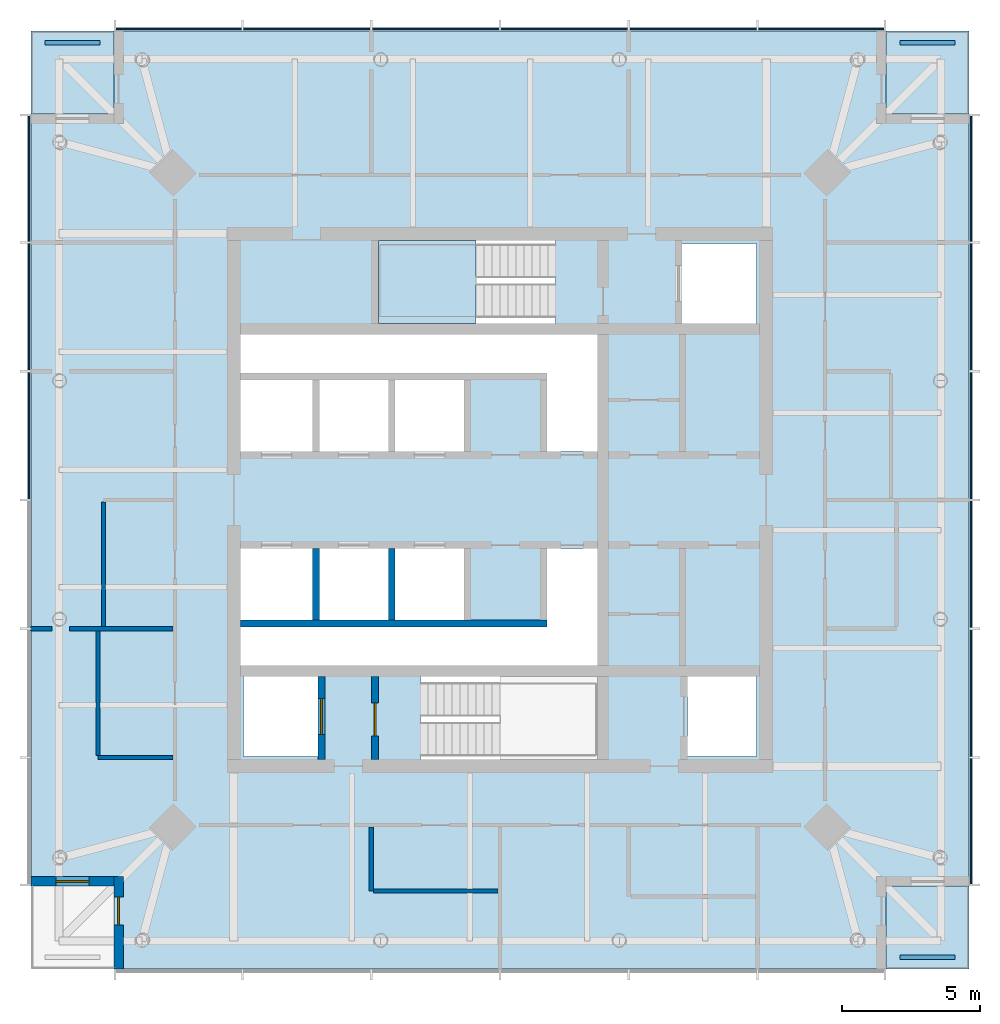
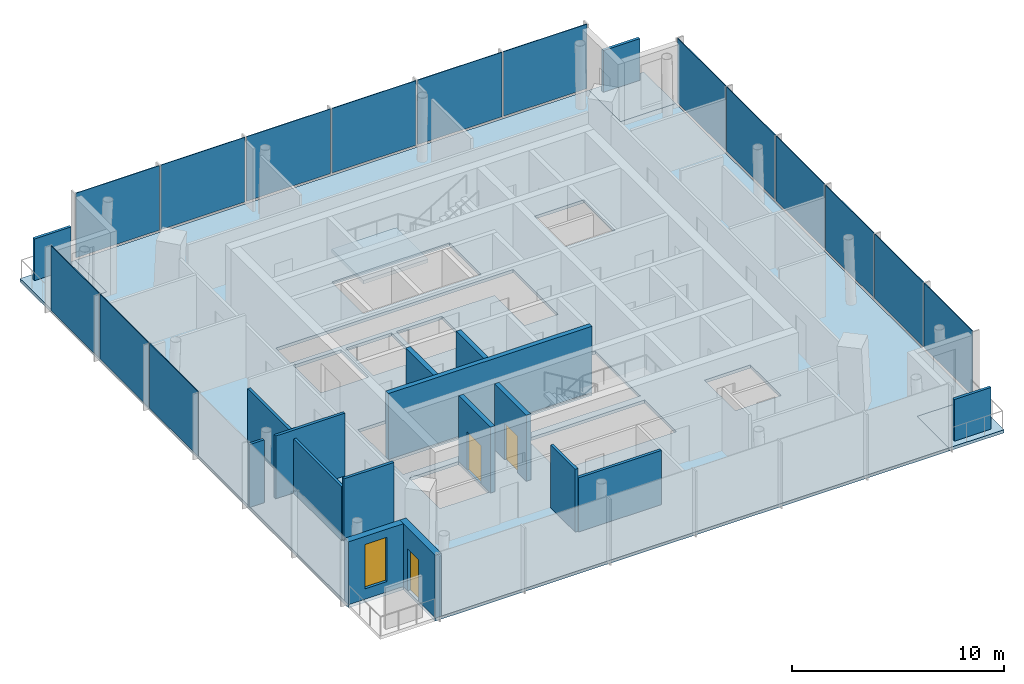
# One storey, part 3 of 7: 18 plates, 14 walls, 5 slabs, 3 doors, 1 window, 4 openings, 4 elements without a shape of their own.
"""IFC4 building model written with IfcOpenShell, lengths in metres."""

import ifcopenshell
import ifcopenshell.guid

model = None  # the IFC model being written
_history = None  # IfcOwnerHistory: only IFC2X3 demands one
_inside = {}  # id of a spatial element -> (the spatial element, [elements in it])
_under = {}  # id of a project, library or spatial element -> (it, [spatial elements below it])
_declared = {}  # id of a project -> (the project, [libraries it declares])
_typed = {}  # id of a type object -> (the type object, [elements of that type])
_made_of = {}  # id of a material, layer set ... -> (it, [elements and type objects made of it])


def new_model(schema):
    """Start an empty IFC model of exactly this schema.

    Asked for "IFC4X3", IfcOpenShell would pick the latest addendum, in which some entities
    have other attributes; the version numbers below select the first issue.
    IFC2X3 requires an IfcOwnerHistory on every rooted entity: one is made here for all.
    """
    global model, _history
    if schema == "IFC4X3":
        model = ifcopenshell.file(schema_version=(4, 3, 0, 0))
    else:
        model = ifcopenshell.file(schema=schema)
    _inside.clear()
    _under.clear()
    _declared.clear()
    _typed.clear()
    _made_of.clear()
    _history = None
    if model.schema == "IFC2X3":
        org = make("IfcOrganization", Name="unknown")
        user = make(
            "IfcPersonAndOrganization",
            ThePerson=make("IfcPerson", FamilyName="unknown"),
            TheOrganization=org,
        )
        app = make(
            "IfcApplication",
            ApplicationDeveloper=org,
            Version="unknown",
            ApplicationFullName="unknown",
            ApplicationIdentifier="unknown",
        )
        _history = make(
            "IfcOwnerHistory",
            OwningUser=user,
            OwningApplication=app,
            ChangeAction="ADDED",
            CreationDate=0,
        )
    return model


def make(cls, **values):
    """One entity of the class cls with the attributes given. An attribute that is None is left unset."""
    return model.create_entity(
        cls, **{name: value for name, value in values.items() if value is not None}
    )


def rooted(cls, **values):
    """An entity with a GlobalId (a new one), such as an element, a storey or a relation."""
    return make(cls, GlobalId=ifcopenshell.guid.new(), OwnerHistory=_history, **values)


def si_unit(unit_type, name, prefix=None):
    """IfcSIUnit, for example si_unit("LENGTHUNIT", "METRE", prefix="MILLI")."""
    return make("IfcSIUnit", UnitType=unit_type, Prefix=prefix, Name=name)


def assignment(units):
    """IfcUnitAssignment: the units of a project."""
    return None if units is None else make("IfcUnitAssignment", Units=units)


def point(xyz):
    """IfcCartesianPoint."""
    return None if xyz is None else make("IfcCartesianPoint", Coordinates=xyz)


def direction(xyz):
    """IfcDirection."""
    return None if xyz is None else make("IfcDirection", DirectionRatios=xyz)


def frame(location, z_axis=None, x_axis=None):
    """IfcAxis2Placement3D, a coordinate frame: its origin and axes. An axis left out is left unset."""
    return make(
        "IfcAxis2Placement3D",
        Location=point(location),
        Axis=direction(z_axis),
        RefDirection=direction(x_axis),
    )


def frame_2d(location, x_axis=None):
    """IfcAxis2Placement2D, a coordinate frame in the plane: its origin and x axis."""
    return make(
        "IfcAxis2Placement2D", Location=point(location), RefDirection=direction(x_axis)
    )


def origin():
    """The frame at (0, 0, 0) with its axes left unset."""
    return frame((0.0, 0.0, 0.0))


def origin_2d():
    """The frame at (0, 0) in the plane with its x axis left unset."""
    return frame_2d((0.0, 0.0))


def place(relative_to, where):
    """IfcLocalPlacement: puts the frame where relative to a parent placement (None: the world)."""
    return make(
        "IfcLocalPlacement", PlacementRelTo=relative_to, RelativePlacement=where
    )


def context(
    kind, dimensions, precision=None, world=None, true_north=None, identifier=None
):
    """IfcGeometricRepresentationContext, for example the 3D "Model" context."""
    return make(
        "IfcGeometricRepresentationContext",
        ContextIdentifier=identifier,
        ContextType=kind,
        CoordinateSpaceDimension=dimensions,
        Precision=precision,
        WorldCoordinateSystem=world,
        TrueNorth=true_north,
    )


def subcontext(parent, identifier, kind, view, scale=None):
    """IfcGeometricRepresentationSubContext, for example "Body" below "Model"."""
    return make(
        "IfcGeometricRepresentationSubContext",
        ContextIdentifier=identifier,
        ContextType=kind,
        ParentContext=parent,
        TargetScale=scale,
        TargetView=view,
    )


def project(units=None, contexts=None):
    """IfcProject with its units and contexts."""
    return rooted(
        "IfcProject",
        Name="project",
        RepresentationContexts=contexts,
        UnitsInContext=assignment(units),
    )


def spatial(cls, under=None, at=None, **own):
    """A site, building, storey or space (cls), placed at a placement, below another one or the project."""
    s = rooted(cls, ObjectPlacement=at, **own)
    if under is not None:
        _under.setdefault(under.id(), (under, []))[1].append(s)
    return s


def polyline(points):
    """IfcPolyline through the points."""
    return make("IfcPolyline", Points=[point(p) for p in points])


def profile(cls, at=None, kind="AREA", **sizes):
    """A parametric profile (cls). Its sizes go by their IFC names, for example OverallWidth=200.0."""
    return make(cls, ProfileType=kind, Position=at, **sizes)


def rectangle(**sizes):
    """IfcRectangleProfileDef."""
    return profile("IfcRectangleProfileDef", **sizes)


def outline(outer, holes=None, kind="AREA"):
    """IfcArbitraryClosedProfileDef: a profile drawn as a closed curve; with holes, ...WithVoids."""
    if holes is None:
        return make("IfcArbitraryClosedProfileDef", ProfileType=kind, OuterCurve=outer)
    return make(
        "IfcArbitraryProfileDefWithVoids",
        ProfileType=kind,
        OuterCurve=outer,
        InnerCurves=holes,
    )


def extrude(swept, where, along, depth):
    """IfcExtrudedAreaSolid: the profile swept, set in the frame where, extruded along a direction by depth."""
    return make(
        "IfcExtrudedAreaSolid",
        SweptArea=swept,
        Position=where,
        ExtrudedDirection=direction(along),
        Depth=depth,
    )


def shape(context_of_items, identifier, shape_type, items):
    """IfcShapeRepresentation: the items that make up one representation, for example the "Body"."""
    return make(
        "IfcShapeRepresentation",
        ContextOfItems=context_of_items,
        RepresentationIdentifier=identifier,
        RepresentationType=shape_type,
        Items=items,
    )


def material(Name=None, Category=None):
    """IfcMaterial."""
    return make("IfcMaterial", Name=Name, Category=Category)


def layer(
    of_material, thickness, ventilated=None, Name=None, Category=None, Priority=None
):
    """IfcMaterialLayer: one layer of a wall or slab, of a material (None: an air gap)."""
    return make(
        "IfcMaterialLayer",
        Material=of_material,
        LayerThickness=thickness,
        IsVentilated=ventilated,
        Name=Name,
        Category=Category,
        Priority=Priority,
    )


def layer_set(layers, Name=None):
    """IfcMaterialLayerSet."""
    return make("IfcMaterialLayerSet", MaterialLayers=layers, LayerSetName=Name)


def made_of(thing, what):
    """Note that an element or type object is made of a material, layer set ...; save() writes the relation."""
    if what is not None:
        _made_of.setdefault(what.id(), (what, []))[1].append(thing)
    return thing


def type_object(cls, material=None, **own):
    """A type object (cls), such as IfcWallType, which elements share."""
    return made_of(rooted(cls, **own), material)


def element(
    cls,
    number,
    at=None,
    inside=None,
    cuts=None,
    type_object=None,
    material=None,
    context=None,
    identifier="Body",
    shape_type=None,
    held_by="IfcProductDefinitionShape",
    body=None,
    shapes=None,
    **own,
):
    """One element of the class cls, such as IfcWall. Its Tag is "e" and its number.

    at: its placement. inside: the storey or other place that contains it. cuts: it is an
    opening in that element (IfcRelVoidsElement). A single representation is given by context,
    identifier, shape_type and body (its items); several are given by shapes. held_by: the class
    of the entity that holds the representations. save() writes the other relations.
    """
    e = rooted(cls, Tag="e%d" % number, ObjectPlacement=at, **own)
    if body is not None:
        shapes = [shape(context, identifier, shape_type, body)]
    if shapes is not None:
        e.Representation = make(held_by, Representations=shapes)
    if inside is not None:
        _inside.setdefault(inside.id(), (inside, []))[1].append(e)
    if cuts is not None:
        rooted(
            "IfcRelVoidsElement", RelatingBuildingElement=cuts, RelatedOpeningElement=e
        )
    if type_object is not None:
        _typed.setdefault(type_object.id(), (type_object, []))[1].append(e)
    return made_of(e, material)


def fill(opening, filler):
    """IfcRelFillsElement: the door or window that sits in an opening."""
    return rooted(
        "IfcRelFillsElement",
        RelatingOpeningElement=opening,
        RelatedBuildingElement=filler,
    )


def aggregate(whole, parts):
    """IfcRelAggregates: a whole, such as a stair, and the parts it consists of."""
    return rooted("IfcRelAggregates", RelatingObject=whole, RelatedObjects=parts)


def save(model, path):
    """Write the relations noted so far, then the file.

    IfcRelAggregates (storeys below a building ...), IfcRelContainedInSpatialStructure (elements
    in a storey), IfcRelDefinesByType, IfcRelAssociatesMaterial and IfcRelDeclares: one each for
    every whole, place, type object, material and project.
    """
    for whole, parts in _under.values():
        aggregate(whole, parts)
    for where, things in _inside.values():
        rooted(
            "IfcRelContainedInSpatialStructure",
            RelatedElements=things,
            RelatingStructure=where,
        )
    for kind, things in _typed.values():
        rooted("IfcRelDefinesByType", RelatedObjects=things, RelatingType=kind)
    for what, things in _made_of.values():
        rooted("IfcRelAssociatesMaterial", RelatedObjects=things, RelatingMaterial=what)
    for by, libraries in _declared.values():
        rooted("IfcRelDeclares", RelatingContext=by, RelatedDefinitions=libraries)
    model.write(path)


model = new_model("IFC4")

# Units and contexts
model_context = context("Model", 3, precision=1e-05, world=origin(), true_north=direction((0.0, 1.0)))
body_context = subcontext(model_context, "Body", "Model", "MODEL_VIEW")
ifc_project = project(units=[si_unit("LENGTHUNIT", "METRE"), si_unit("AREAUNIT", "SQUARE_METRE"), si_unit("VOLUMEUNIT", "CUBIC_METRE"), si_unit("PLANEANGLEUNIT", "RADIAN"), si_unit("MASSUNIT", "GRAM", prefix="KILO")], contexts=[model_context])

# Site, building, storey
site_placement = place(None, origin())
site = spatial("IfcSite", under=ifc_project, at=site_placement, CompositionType="ELEMENT")
building_placement = place(site_placement, origin())
building = spatial("IfcBuilding", under=site, at=building_placement, Name="Ostroluk Exchange", CompositionType="ELEMENT")
storey_placement = place(building_placement, frame((0.0, 0.0, 271.800048828125)))
storey = spatial("IfcBuildingStorey", under=building, at=storey_placement, Name="L70", CompositionType="ELEMENT", Elevation=271.800048828125)

# Slabs
ifc_material_1 = material(Name="Concrete C35/45", Category="concrete")
ifc_layer_1 = layer(ifc_material_1, 0.179931640625)
ifc_layer_set_1 = layer_set([ifc_layer_1], Name="Balcony slab 180")
slab_type_1 = type_object("IfcSlabType", Name="Balcony slab 180", PredefinedType="USERDEFINED", material=ifc_layer_set_1)
slab_1_placement = place(storey_placement, frame((0.0, 0.0, -0.179931640625)))
element("IfcSlab", 1, at=slab_1_placement, inside=storey, type_object=slab_type_1, Name="Office tower SE corner balcony L70", ObjectType="BALCONY", PredefinedType="USERDEFINED", context=body_context, shape_type="SweptSolid", body=[
    extrude(outline(polyline([(59.0, 29.0), (62.0, 29.0), (62.0, 32.0), (59.0, 32.0), (59.0, 29.0)])), origin(), (0.0, 0.0, 1.0), 0.179931640625),
])
slab_2_placement = place(storey_placement, frame((0.0, 0.0, -0.179931640625)))
element("IfcSlab", 2, at=slab_2_placement, inside=storey, type_object=slab_type_1, Name="Office tower NE corner balcony L70", ObjectType="BALCONY", PredefinedType="USERDEFINED", context=body_context, shape_type="SweptSolid", body=[
    extrude(outline(polyline([(59.0, 60.0), (62.0, 60.0), (62.0, 63.0), (59.0, 63.0), (59.0, 60.0)])), origin(), (0.0, 0.0, 1.0), 0.179931640625),
])
slab_3_placement = place(storey_placement, frame((0.0, 0.0, -0.179931640625)))
element("IfcSlab", 3, at=slab_3_placement, inside=storey, type_object=slab_type_1, Name="Office tower NW corner balcony L70", ObjectType="BALCONY", PredefinedType="USERDEFINED", context=body_context, shape_type="SweptSolid", body=[
    extrude(outline(polyline([(28.0, 60.0), (31.0, 60.0), (31.0, 63.0), (28.0, 63.0), (28.0, 60.0)])), origin(), (0.0, 0.0, 1.0), 0.179931640625),
])

# Plates
ifc_material_2 = material(Name="Steel S355 trellis with planting", Category="steel")
ifc_layer_2 = layer(ifc_material_2, 0.14990234375)
ifc_layer_set_2 = layer_set([ifc_layer_2], Name="Planted screen 150")
plate_type_1 = type_object("IfcPlateType", Name="Planted screen 150", PredefinedType="USERDEFINED", material=ifc_layer_set_2)
for number, where, z_axis, x_axis, name in (
    (4, (60.5, 29.425048828125, 0.0), (0.0, 0.0, 1.0), (1.0, 0.0, 0.0), "Office tower SE planted screen L70"),
    (5, (60.5, 62.574951171875, 0.0), (0.0, 0.0, 1.0), (1.0, 0.0, 0.0), "Office tower NE planted screen L70"),
    (6, (29.5, 62.574951171875, 0.0), (0.0, 0.0, 1.0), (1.0, 0.0, 0.0), "Office tower NW planted screen L70"),
):
    element("IfcPlate", number, at=place(storey_placement, frame(where, z_axis=z_axis, x_axis=x_axis)), inside=storey, type_object=plate_type_1, Name=name, ObjectType="PLANTED SCREEN", PredefinedType="USERDEFINED", context=body_context, shape_type="SweptSolid", body=[
        extrude(rectangle(XDim=2.0, YDim=0.14990234375, at=origin_2d()), origin(), (0.0, 0.0, 1.0), 2.39990234375),
    ])

# Stair, slab
ifc_material_3 = material(Name="Concrete C30/37", Category="concrete")
stair_type = type_object("IfcStairType", Name="Exit stair half turn 3800", PredefinedType="HALF_TURN_STAIR", material=ifc_material_3)
stair_placement = place(storey_placement, origin())
stair = element("IfcStair", 7, at=stair_placement, inside=storey, type_object=stair_type, Name="Stair T1-S2 L70", PredefinedType="HALF_TURN_STAIR")
ifc_material_4 = material(Name="Concrete C30/37", Category="concrete")
ifc_layer_3 = layer(ifc_material_4, 0.199951171875)
ifc_layer_set_3 = layer_set([ifc_layer_3], Name="Stair landing 200")
slab_type_2 = type_object("IfcSlabType", Name="Stair landing 200", PredefinedType="LANDING", material=ifc_layer_set_3)
slab_4_placement = place(storey_placement, frame((0.0, 0.0, 1.699951171875)))
slab_4 = element("IfcSlab", 8, at=slab_4_placement, type_object=slab_type_2, Name="T1-S2 landing 1", PredefinedType="LANDING", context=body_context, shape_type="SweptSolid", body=[
    extrude(outline(polyline([(44.1298828125, 52.39990234375), (44.1298828125, 55.39990234375), (40.60009765625, 55.39990234375), (40.60009765625, 52.39990234375), (44.1298828125, 52.39990234375)])), origin(), (0.0, 0.0, 1.0), 0.199951171875),
])
aggregate(stair, [slab_4])

# Slab
ifc_material_5 = material(Name="Concrete C35/45", Category="concrete")
ifc_layer_4 = layer(ifc_material_5, 0.179931640625)
ifc_layer_set_4 = layer_set([ifc_layer_4], Name="Tower floor slab 180 composite")
slab_type_3 = type_object("IfcSlabType", Name="Tower floor slab 180 composite", PredefinedType="FLOOR", material=ifc_layer_set_4)
slab_5_placement = place(storey_placement, frame((0.0, 0.0, -0.179931640625)))
element("IfcSlab", 9, at=slab_5_placement, inside=storey, type_object=slab_type_3, Name="Office tower floor slab L70", PredefinedType="FLOOR", context=body_context, shape_type="SweptSolid", body=[
    extrude(outline(polyline([(31.0, 29.0), (59.0, 29.0), (59.0, 32.0), (62.0, 32.0), (62.0, 60.0), (59.0, 60.0), (59.0, 63.0), (31.0, 63.0), (31.0, 60.0), (28.0, 60.0), (28.0, 32.0), (31.0, 32.0), (31.0, 29.0)]), holes=[polyline([(35.699951171875, 36.699951171875), (38.39990234375, 36.699951171875), (38.39990234375, 39.60009765625), (35.699951171875, 39.60009765625), (35.699951171875, 36.699951171875)]), polyline([(42.110107421875, 36.60009765625), (48.530029296875, 36.60009765625), (48.530029296875, 39.60009765625), (42.110107421875, 39.60009765625), (42.110107421875, 36.60009765625)]), polyline([(51.800048828125, 36.699951171875), (54.300048828125, 36.699951171875), (54.300048828125, 39.60009765625), (51.800048828125, 39.60009765625), (51.800048828125, 36.699951171875)]), polyline([(40.60009765625, 52.39990234375), (47.02001953125, 52.39990234375), (47.02001953125, 55.39990234375), (40.60009765625, 55.39990234375), (40.60009765625, 52.39990234375)]), polyline([(51.60009765625, 52.39990234375), (54.300048828125, 52.39990234375), (54.300048828125, 55.300048828125), (51.60009765625, 55.300048828125), (51.60009765625, 52.39990234375)]), polyline([(35.60009765625, 47.75), (38.199951171875, 47.75), (38.199951171875, 50.35009765625), (35.60009765625, 50.35009765625), (35.60009765625, 47.75)]), polyline([(38.449951171875, 47.75), (40.949951171875, 47.75), (40.949951171875, 50.35009765625), (38.449951171875, 50.35009765625), (38.449951171875, 47.75)]), polyline([(41.199951171875, 47.75), (43.699951171875, 47.75), (43.699951171875, 50.35009765625), (41.199951171875, 50.35009765625), (41.199951171875, 47.75)]), polyline([(35.60009765625, 41.64990234375), (38.199951171875, 41.64990234375), (38.199951171875, 44.25), (35.60009765625, 44.25), (35.60009765625, 41.64990234375)]), polyline([(38.449951171875, 41.64990234375), (40.949951171875, 41.64990234375), (40.949951171875, 44.25), (38.449951171875, 44.25), (38.449951171875, 41.64990234375)]), polyline([(41.199951171875, 41.64990234375), (43.699951171875, 41.64990234375), (43.699951171875, 44.25), (41.199951171875, 44.25), (41.199951171875, 41.64990234375)]), polyline([(48.530029296875, 52.0), (48.530029296875, 47.75), (46.699951171875, 47.75), (46.699951171875, 50.60009765625), (35.60009765625, 50.60009765625), (35.60009765625, 52.0), (48.530029296875, 52.0)]), polyline([(35.60009765625, 40.0), (35.60009765625, 41.39990234375), (46.699951171875, 41.39990234375), (46.699951171875, 44.25), (48.530029296875, 44.25), (48.530029296875, 40.0), (35.60009765625, 40.0)])]), origin(), (0.0, 0.0, 1.0), 0.179931640625),
])

# Curtain wall, plates
ifc_material_6 = material(Name="Laminated clear glass", Category="glass")
curtain_wall_type = type_object("IfcCurtainWallType", Name="Office tower facade", PredefinedType="USERDEFINED", material=ifc_material_6)
curtain_wall_1_placement = place(storey_placement, origin())
curtain_wall_1 = element("IfcCurtainWall", 10, at=curtain_wall_1_placement, inside=storey, type_object=curtain_wall_type, Name="Office tower east facade L70", ObjectType="UNITISED CURTAIN WALL", PredefinedType="USERDEFINED")
ifc_material_7 = material(Name="Laminated clear glass", Category="glass")
ifc_layer_5 = layer(ifc_material_7, 0.0439453125)
ifc_layer_set_5 = layer_set([ifc_layer_5], Name="Triple laminated clear glazing 44")
plate_type_2 = type_object("IfcPlateType", Name="Triple laminated clear glazing 44", PredefinedType="CURTAIN_PANEL", material=ifc_layer_set_5)
plate_1_placement = place(storey_placement, frame((62.074951171875, 34.353271484375, 0.080078125), z_axis=(0.0, 0.0, 1.0), x_axis=(0.0, 1.0, 0.0)))
plate_1 = element("IfcPlate", 11, at=plate_1_placement, type_object=plate_type_2, Name="CW-O1 panel 1.1", PredefinedType="CURTAIN_PANEL", context=body_context, shape_type="SweptSolid", body=[
    extrude(rectangle(XDim=4.546630859375, YDim=0.0439453125, at=origin_2d()), origin(), (0.0, 0.0, 1.0), 3.719970703125),
])
plate_2_placement = place(storey_placement, frame((62.074951171875, 39.0, 0.080078125), z_axis=(0.0, 0.0, 1.0), x_axis=(0.0, 1.0, 0.0)))
plate_2 = element("IfcPlate", 12, at=plate_2_placement, type_object=plate_type_2, Name="CW-O1 panel 2.1", PredefinedType="CURTAIN_PANEL", context=body_context, shape_type="SweptSolid", body=[
    extrude(rectangle(XDim=4.586669921875, YDim=0.0439453125, at=origin_2d()), origin(), (0.0, 0.0, 1.0), 3.719970703125),
])
plate_3_placement = place(storey_placement, frame((62.074951171875, 43.666748046875, 0.080078125), z_axis=(0.0, 0.0, 1.0), x_axis=(0.0, 1.0, 0.0)))
plate_3 = element("IfcPlate", 13, at=plate_3_placement, type_object=plate_type_2, Name="CW-O1 panel 3.1", PredefinedType="CURTAIN_PANEL", context=body_context, shape_type="SweptSolid", body=[
    extrude(rectangle(XDim=4.586669921875, YDim=0.0439453125, at=origin_2d()), origin(), (0.0, 0.0, 1.0), 3.719970703125),
])
plate_4_placement = place(storey_placement, frame((62.074951171875, 48.333251953125, 0.080078125), z_axis=(0.0, 0.0, 1.0), x_axis=(0.0, 1.0, 0.0)))
plate_4 = element("IfcPlate", 14, at=plate_4_placement, type_object=plate_type_2, Name="CW-O1 panel 4.1", PredefinedType="CURTAIN_PANEL", context=body_context, shape_type="SweptSolid", body=[
    extrude(rectangle(XDim=4.586669921875, YDim=0.0439453125, at=origin_2d()), origin(), (0.0, 0.0, 1.0), 3.719970703125),
])
plate_5_placement = place(storey_placement, frame((62.074951171875, 53.0, 0.080078125), z_axis=(0.0, 0.0, 1.0), x_axis=(0.0, 1.0, 0.0)))
plate_5 = element("IfcPlate", 15, at=plate_5_placement, type_object=plate_type_2, Name="CW-O1 panel 5.1", PredefinedType="CURTAIN_PANEL", context=body_context, shape_type="SweptSolid", body=[
    extrude(rectangle(XDim=4.586669921875, YDim=0.0439453125, at=origin_2d()), origin(), (0.0, 0.0, 1.0), 3.719970703125),
])
plate_6_placement = place(storey_placement, frame((62.074951171875, 57.646728515625, 0.080078125), z_axis=(0.0, 0.0, 1.0), x_axis=(0.0, 1.0, 0.0)))
plate_6 = element("IfcPlate", 16, at=plate_6_placement, type_object=plate_type_2, Name="CW-O1 panel 6.1", PredefinedType="CURTAIN_PANEL", context=body_context, shape_type="SweptSolid", body=[
    extrude(rectangle(XDim=4.546630859375, YDim=0.0439453125, at=origin_2d()), origin(), (0.0, 0.0, 1.0), 3.719970703125),
])
aggregate(curtain_wall_1, [plate_1, plate_2, plate_3, plate_4, plate_5, plate_6])

curtain_wall_2_placement = place(storey_placement, origin())
curtain_wall_2 = element("IfcCurtainWall", 17, at=curtain_wall_2_placement, inside=storey, type_object=curtain_wall_type, Name="Office tower north facade L70", ObjectType="UNITISED CURTAIN WALL", PredefinedType="USERDEFINED")
plate_7_placement = place(storey_placement, frame((56.646728515625, 63.074951171875, 0.080078125), z_axis=(0.0, 0.0, 1.0), x_axis=(-1.0, 0.0, 0.0)))
plate_7 = element("IfcPlate", 18, at=plate_7_placement, type_object=plate_type_2, Name="CW-O1 panel 1.1", PredefinedType="CURTAIN_PANEL", context=body_context, shape_type="SweptSolid", body=[
    extrude(rectangle(XDim=4.546630859375, YDim=0.0439453125, at=origin_2d()), origin(), (0.0, 0.0, 1.0), 3.719970703125),
])
plate_8_placement = place(storey_placement, frame((52.0, 63.074951171875, 0.080078125), z_axis=(0.0, 0.0, 1.0), x_axis=(-1.0, 0.0, 0.0)))
plate_8 = element("IfcPlate", 19, at=plate_8_placement, type_object=plate_type_2, Name="CW-O1 panel 2.1", PredefinedType="CURTAIN_PANEL", context=body_context, shape_type="SweptSolid", body=[
    extrude(rectangle(XDim=4.586669921875, YDim=0.0439453125, at=origin_2d()), origin(), (0.0, 0.0, 1.0), 3.719970703125),
])
plate_9_placement = place(storey_placement, frame((47.333251953125, 63.074951171875, 0.080078125), z_axis=(0.0, 0.0, 1.0), x_axis=(-1.0, 0.0, 0.0)))
plate_9 = element("IfcPlate", 20, at=plate_9_placement, type_object=plate_type_2, Name="CW-O1 panel 3.1", PredefinedType="CURTAIN_PANEL", context=body_context, shape_type="SweptSolid", body=[
    extrude(rectangle(XDim=4.586669921875, YDim=0.0439453125, at=origin_2d()), origin(), (0.0, 0.0, 1.0), 3.719970703125),
])
plate_10_placement = place(storey_placement, frame((42.666748046875, 63.074951171875, 0.080078125), z_axis=(0.0, 0.0, 1.0), x_axis=(-1.0, 0.0, 0.0)))
plate_10 = element("IfcPlate", 21, at=plate_10_placement, type_object=plate_type_2, Name="CW-O1 panel 4.1", PredefinedType="CURTAIN_PANEL", context=body_context, shape_type="SweptSolid", body=[
    extrude(rectangle(XDim=4.586669921875, YDim=0.0439453125, at=origin_2d()), origin(), (0.0, 0.0, 1.0), 3.719970703125),
])
plate_11_placement = place(storey_placement, frame((38.0, 63.074951171875, 0.080078125), z_axis=(0.0, 0.0, 1.0), x_axis=(-1.0, 0.0, 0.0)))
plate_11 = element("IfcPlate", 22, at=plate_11_placement, type_object=plate_type_2, Name="CW-O1 panel 5.1", PredefinedType="CURTAIN_PANEL", context=body_context, shape_type="SweptSolid", body=[
    extrude(rectangle(XDim=4.586669921875, YDim=0.0439453125, at=origin_2d()), origin(), (0.0, 0.0, 1.0), 3.719970703125),
])
plate_12_placement = place(storey_placement, frame((33.353271484375, 63.074951171875, 0.080078125), z_axis=(0.0, 0.0, 1.0), x_axis=(-1.0, 0.0, 0.0)))
plate_12 = element("IfcPlate", 23, at=plate_12_placement, type_object=plate_type_2, Name="CW-O1 panel 6.1", PredefinedType="CURTAIN_PANEL", context=body_context, shape_type="SweptSolid", body=[
    extrude(rectangle(XDim=4.546630859375, YDim=0.0439453125, at=origin_2d()), origin(), (0.0, 0.0, 1.0), 3.719970703125),
])
aggregate(curtain_wall_2, [plate_7, plate_8, plate_9, plate_10, plate_11, plate_12])

curtain_wall_3_placement = place(storey_placement, origin())
curtain_wall_3 = element("IfcCurtainWall", 24, at=curtain_wall_3_placement, inside=storey, type_object=curtain_wall_type, Name="Office tower west facade L70", ObjectType="UNITISED CURTAIN WALL", PredefinedType="USERDEFINED")
plate_13_placement = place(storey_placement, frame((27.925048828125, 57.646728515625, 0.080078125), z_axis=(0.0, 0.0, 1.0), x_axis=(0.0, -1.0, 0.0)))
plate_13 = element("IfcPlate", 25, at=plate_13_placement, type_object=plate_type_2, Name="CW-O1 panel 1.1", PredefinedType="CURTAIN_PANEL", context=body_context, shape_type="SweptSolid", body=[
    extrude(rectangle(XDim=4.546630859375, YDim=0.0439453125, at=origin_2d()), origin(), (0.0, 0.0, 1.0), 3.719970703125),
])
plate_14_placement = place(storey_placement, frame((27.925048828125, 53.0, 0.080078125), z_axis=(0.0, 0.0, 1.0), x_axis=(0.0, -1.0, 0.0)))
plate_14 = element("IfcPlate", 26, at=plate_14_placement, type_object=plate_type_2, Name="CW-O1 panel 2.1", PredefinedType="CURTAIN_PANEL", context=body_context, shape_type="SweptSolid", body=[
    extrude(rectangle(XDim=4.586669921875, YDim=0.0439453125, at=origin_2d()), origin(), (0.0, 0.0, 1.0), 3.719970703125),
])
plate_15_placement = place(storey_placement, frame((27.925048828125, 48.333251953125, 0.080078125), z_axis=(0.0, 0.0, 1.0), x_axis=(0.0, -1.0, 0.0)))
plate_15 = element("IfcPlate", 27, at=plate_15_placement, type_object=plate_type_2, Name="CW-O1 panel 3.1", PredefinedType="CURTAIN_PANEL", context=body_context, shape_type="SweptSolid", body=[
    extrude(rectangle(XDim=4.586669921875, YDim=0.0439453125, at=origin_2d()), origin(), (0.0, 0.0, 1.0), 3.719970703125),
])
aggregate(curtain_wall_3, [plate_13, plate_14, plate_15])

# Wall, opening, door
ifc_material_8 = material(Name="Concrete C40/50", Category="concrete")
ifc_layer_6 = layer(ifc_material_8, 0.25)
ifc_layer_set_6 = layer_set([ifc_layer_6], Name="Core shaft wall 250")
wall_type_1 = type_object("IfcWallType", Name="Core shaft wall 250", PredefinedType="SHEAR", material=ifc_layer_set_6)
wall_1_placement = place(storey_placement, frame((38.52490234375, 36.60009765625, 0.0), z_axis=(0.0, 0.0, 1.0), x_axis=(0.0, 1.0, 0.0)))
wall_1 = element("IfcWall", 28, at=wall_1_placement, inside=storey, type_object=wall_type_1, Name="Firefighting lift shaft wall", PredefinedType="SHEAR", context=body_context, shape_type="SweptSolid", body=[
    extrude(rectangle(XDim=3.0, YDim=0.25, at=frame_2d((1.5, 0.0))), origin(), (0.0, 0.0, 1.0), 3.800048828125),
])
opening_1_placement = place(wall_1_placement, frame((0.89990234375, 0.0, 0.0)))
opening_1 = element("IfcOpeningElement", 29, at=opening_1_placement, cuts=wall_1, Name="Opening LD2", PredefinedType="OPENING", context=body_context, shape_type="SweptSolid", body=[
    extrude(rectangle(XDim=1.300048828125, YDim=2.199951171875, at=frame_2d((0.64990234375, 1.10009765625))), frame((0.0, 0.135009765625, 0.0), z_axis=(0.0, -1.0, 0.0), x_axis=(1.0, 0.0, 0.0)), (0.0, 0.0, 1.0), 0.27001953125),
])
ifc_material_9 = material(Name="Stainless steel", Category="steel")
door_type_1 = type_object("IfcDoorType", Name="Lift landing door E 60 1300 x 2200", OperationType="DOUBLE_DOOR_SLIDING", PredefinedType="DOOR", material=ifc_material_9)
door_1_placement = place(opening_1_placement, origin())
door_1 = element("IfcDoor", 30, at=door_1_placement, inside=storey, type_object=door_type_1, Name="Lift FL1 landing door", OperationType="DOUBLE_DOOR_SLIDING", OverallHeight=2.199951171875, OverallWidth=1.300048828125, PredefinedType="DOOR", context=body_context, shape_type="SweptSolid", body=[
    extrude(rectangle(XDim=1.300048828125, YDim=2.199951171875, at=frame_2d((0.64990234375, 1.10009765625))), frame((0.0, 0.02490234375, 0.0), z_axis=(0.0, -1.0, 0.0), x_axis=(1.0, 0.0, 0.0)), (0.0, 0.0, 1.0), 0.050048828125),
])
fill(opening_1, door_1)

wall_2_placement = place(storey_placement, frame((40.47509765625, 36.60009765625, 0.0), z_axis=(0.0, 0.0, 1.0), x_axis=(0.0, 1.0, 0.0)))
wall_2 = element("IfcWall", 31, at=wall_2_placement, inside=storey, type_object=wall_type_1, Name="Stair shaft wall", PredefinedType="SHEAR", context=body_context, shape_type="SweptSolid", body=[
    extrude(rectangle(XDim=3.0, YDim=0.25, at=frame_2d((1.5, 0.0))), origin(), (0.0, 0.0, 1.0), 3.800048828125),
])
opening_2_placement = place(wall_2_placement, frame((0.85009765625, 0.0, 0.0)))
opening_2 = element("IfcOpeningElement", 32, at=opening_2_placement, cuts=wall_2, Name="Opening FD60S", PredefinedType="OPENING", context=body_context, shape_type="SweptSolid", body=[
    extrude(rectangle(XDim=1.199951171875, YDim=2.10009765625, at=frame_2d((0.60009765625, 1.050048828125))), frame((0.0, 0.135009765625, 0.0), z_axis=(0.0, -1.0, 0.0), x_axis=(1.0, 0.0, 0.0)), (0.0, 0.0, 1.0), 0.27001953125),
])
ifc_material_10 = material(Name="Steel", Category="steel")
door_type_2 = type_object("IfcDoorType", Name="Stair door EI 60 1200 x 2100", OperationType="SINGLE_SWING_LEFT", PredefinedType="DOOR", material=ifc_material_10)
door_2_placement = place(opening_2_placement, origin())
door_2 = element("IfcDoor", 33, at=door_2_placement, inside=storey, type_object=door_type_2, Name="Stair T1-S1 door", OperationType="SINGLE_SWING_LEFT", OverallHeight=2.10009765625, OverallWidth=1.199951171875, PredefinedType="DOOR", context=body_context, shape_type="SweptSolid", body=[
    extrude(rectangle(XDim=1.199951171875, YDim=2.10009765625, at=frame_2d((0.60009765625, 1.050048828125))), frame((0.0, 0.02490234375, 0.0), z_axis=(0.0, -1.0, 0.0), x_axis=(1.0, 0.0, 0.0)), (0.0, 0.0, 1.0), 0.050048828125),
])
fill(opening_2, door_2)

# Walls
for number, where, z_axis, x_axis, name in (
    (34, (38.324951171875, 44.25, 0.0), (0.0, 0.0, 1.0), (0.0, -1.0, 0.0), "Lift shaft wall"),
    (35, (41.074951171875, 44.25, 0.0), (0.0, 0.0, 1.0), (0.0, -1.0, 0.0), "Lift shaft wall"),
):
    element("IfcWall", number, at=place(storey_placement, frame(where, z_axis=z_axis, x_axis=x_axis)), inside=storey, type_object=wall_type_1, Name=name, PredefinedType="SHEAR", context=body_context, shape_type="SweptSolid", body=[
        extrude(rectangle(XDim=2.60009765625, YDim=0.25, at=frame_2d((1.300048828125, 0.0))), origin(), (0.0, 0.0, 1.0), 3.800048828125),
    ])
wall_3_placement = place(storey_placement, frame((35.60009765625, 41.52490234375, 0.0), z_axis=(0.0, 0.0, 1.0), x_axis=(1.0, 0.0, 0.0)))
element("IfcWall", 36, at=wall_3_placement, inside=storey, type_object=wall_type_1, Name="Lift shaft wall", PredefinedType="SHEAR", context=body_context, shape_type="SweptSolid", body=[
    extrude(rectangle(XDim=11.099853515625, YDim=0.25, at=frame_2d((5.5498046875, 0.0))), origin(), (0.0, 0.0, 1.0), 3.800048828125),
])

# Wall, opening, door
ifc_material_11 = material(Name="Limestone", Category="masonry")
ifc_layer_7 = layer(ifc_material_11, 0.35009765625)
ifc_layer_set_7 = layer_set([ifc_layer_7], Name="Limestone facade wall 350")
wall_type_2 = type_object("IfcWallType", Name="Limestone facade wall 350", PredefinedType="SOLIDWALL", material=ifc_layer_set_7)
wall_4_placement = place(storey_placement, frame((31.175048828125, 29.0, 0.0), z_axis=(0.0, 0.0, 1.0), x_axis=(0.0, 1.0, 0.0)))
wall_4 = element("IfcWall", 37, at=wall_4_placement, inside=storey, type_object=wall_type_2, Name="Office tower SW corner wall L70 a", PredefinedType="SOLIDWALL", context=body_context, shape_type="SweptSolid", body=[
    extrude(rectangle(XDim=3.35009765625, YDim=0.35009765625, at=frame_2d((1.675048828125, 0.0))), origin(), (0.0, 0.0, 1.0), 3.619873046875),
])
opening_3_placement = place(wall_4_placement, frame((1.60009765625, 0.0, 0.0)))
opening_3 = element("IfcOpeningElement", 38, at=opening_3_placement, cuts=wall_4, Name="Opening D-B1", PredefinedType="OPENING", context=body_context, shape_type="SweptSolid", body=[
    extrude(rectangle(XDim=1.0, YDim=2.39990234375, at=frame_2d((0.5, 1.199951171875))), frame((0.0, 0.18505859375, 0.0), z_axis=(0.0, -1.0, 0.0), x_axis=(1.0, 0.0, 0.0)), (0.0, 0.0, 1.0), 0.3701171875),
])
ifc_material_12 = material(Name="Bronze framed glazed door", Category="aluminium")
door_type_3 = type_object("IfcDoorType", Name="Balcony door 1000 x 2400", OperationType="SINGLE_SWING_LEFT", PredefinedType="DOOR", material=ifc_material_12)
door_3_placement = place(opening_3_placement, origin())
door_3 = element("IfcDoor", 39, at=door_3_placement, inside=storey, type_object=door_type_3, Name="Office tower SW balcony door L70", OperationType="SINGLE_SWING_RIGHT", OverallHeight=2.39990234375, OverallWidth=1.0, PredefinedType="DOOR", context=body_context, shape_type="SweptSolid", body=[
    extrude(rectangle(XDim=1.0, YDim=2.39990234375, at=frame_2d((0.5, 1.199951171875))), frame((0.0, 0.02490234375, 0.0), z_axis=(0.0, -1.0, 0.0), x_axis=(1.0, 0.0, 0.0)), (0.0, 0.0, 1.0), 0.050048828125),
])
fill(opening_3, door_3)

# Wall, opening, window
wall_5_placement = place(storey_placement, frame((31.0, 32.175048828125, 0.0), z_axis=(0.0, 0.0, 1.0), x_axis=(-1.0, 0.0, 0.0)))
wall_5 = element("IfcWall", 40, at=wall_5_placement, inside=storey, type_object=wall_type_2, Name="Office tower SW corner wall L70 b", PredefinedType="SOLIDWALL", context=body_context, shape_type="SweptSolid", body=[
    extrude(rectangle(XDim=3.0, YDim=0.35009765625, at=frame_2d((1.5, 0.0))), origin(), (0.0, 0.0, 1.0), 3.619873046875),
])
opening_4_placement = place(wall_5_placement, frame((0.89990234375, 0.0, 0.60009765625)))
opening_4 = element("IfcOpeningElement", 41, at=opening_4_placement, cuts=wall_5, Name="Opening WN-L1", PredefinedType="OPENING", context=body_context, shape_type="SweptSolid", body=[
    extrude(rectangle(XDim=1.199951171875, YDim=2.550048828125, at=frame_2d((0.60009765625, 1.27490234375))), frame((0.0, 0.18505859375, 0.0), z_axis=(0.0, -1.0, 0.0), x_axis=(1.0, 0.0, 0.0)), (0.0, 0.0, 1.0), 0.3701171875),
])
ifc_material_13 = material(Name="Laminated clear glass", Category="glass")
window_type = type_object("IfcWindowType", Name="Lancet window 1200 x 2550", PartitioningType="SINGLE_PANEL", PredefinedType="WINDOW", material=ifc_material_13)
window_placement = place(opening_4_placement, origin())
window = element("IfcWindow", 42, at=window_placement, inside=storey, type_object=window_type, Name="Office tower SW lancet window L70", OverallHeight=2.550048828125, OverallWidth=1.199951171875, PartitioningType="SINGLE_PANEL", PredefinedType="WINDOW", context=body_context, shape_type="SweptSolid", body=[
    extrude(rectangle(XDim=1.199951171875, YDim=2.550048828125, at=frame_2d((0.60009765625, 1.27490234375))), frame((0.0, 0.030029296875, 0.0), z_axis=(0.0, -1.0, 0.0), x_axis=(1.0, 0.0, 0.0)), (0.0, 0.0, 1.0), 0.06005859375),
])
fill(opening_4, window)

# Walls
ifc_material_14 = material(Name="Gypsum plasterboard partition", Category="gypsum")
ifc_layer_8 = layer(ifc_material_14, 0.14990234375)
ifc_layer_set_8 = layer_set([ifc_layer_8], Name="Plasterboard partition 150")
wall_type_3 = type_object("IfcWallType", Name="Plasterboard partition 150", PredefinedType="PARTITIONING", material=ifc_layer_set_8)
wall_6_placement = place(storey_placement, frame((33.14990234375, 41.333251953125, 0.0), z_axis=(0.0, 0.0, 1.0), x_axis=(-1.0, 0.0, 0.0)))
element("IfcWall", 43, at=wall_6_placement, inside=storey, type_object=wall_type_3, Name="Partition", PredefinedType="PARTITIONING", context=body_context, shape_type="SweptSolid", body=[
    extrude(rectangle(XDim=3.76025390625, YDim=0.14990234375, at=frame_2d((1.880126953125, 0.0))), origin(), (0.0, 0.0, 1.0), 3.619873046875),
])
wall_7_placement = place(storey_placement, frame((28.76025390625, 41.333251953125, 0.0), z_axis=(0.0, 0.0, 1.0), x_axis=(-1.0, 0.0, 0.0)))
element("IfcWall", 44, at=wall_7_placement, inside=storey, type_object=wall_type_3, Name="Partition", PredefinedType="PARTITIONING", context=body_context, shape_type="SweptSolid", body=[
    extrude(rectangle(XDim=0.80029296875, YDim=0.14990234375, at=frame_2d((0.400146484375, 0.0))), origin(), (0.0, 0.0, 1.0), 3.619873046875),
])
wall_8_placement = place(storey_placement, frame((33.14990234375, 36.666748046875, 0.0), z_axis=(0.0, 0.0, 1.0), x_axis=(-1.0, 0.0, 0.0)))
element("IfcWall", 45, at=wall_8_placement, inside=storey, type_object=wall_type_3, Name="Partition", PredefinedType="PARTITIONING", context=body_context, shape_type="SweptSolid", body=[
    extrude(rectangle(XDim=2.724853515625, YDim=0.14990234375, at=frame_2d((1.3623046875, 0.0))), origin(), (0.0, 0.0, 1.0), 3.619873046875),
])
wall_9_placement = place(storey_placement, frame((40.408447265625, 31.824951171875, 0.0), z_axis=(0.0, 0.0, 1.0), x_axis=(1.0, 0.0, 0.0)))
element("IfcWall", 46, at=wall_9_placement, inside=storey, type_object=wall_type_3, Name="Partition", PredefinedType="PARTITIONING", context=body_context, shape_type="SweptSolid", body=[
    extrude(rectangle(XDim=4.5166015625, YDim=0.14990234375, at=frame_2d((2.25830078125, 0.0))), origin(), (0.0, 0.0, 1.0), 3.119873046875),
])
wall_10_placement = place(storey_placement, frame((40.333251953125, 34.14990234375, 0.0), z_axis=(0.0, 0.0, 1.0), x_axis=(0.0, -1.0, 0.0)))
element("IfcWall", 47, at=wall_10_placement, inside=storey, type_object=wall_type_3, Name="Partition", PredefinedType="PARTITIONING", context=body_context, shape_type="SweptSolid", body=[
    extrude(rectangle(XDim=2.324951171875, YDim=0.14990234375, at=frame_2d((1.16259765625, 0.0))), origin(), (0.0, 0.0, 1.0), 3.619873046875),
])
ifc_material_15 = material(Name="Gypsum plasterboard partition, moisture resistant", Category="gypsum")
ifc_layer_9 = layer(ifc_material_15, 0.14990234375)
ifc_layer_set_9 = layer_set([ifc_layer_9], Name="Plasterboard toilet partition 150")
wall_type_4 = type_object("IfcWallType", Name="Plasterboard toilet partition 150", PredefinedType="PARTITIONING", material=ifc_layer_set_9)
for number, where, z_axis, x_axis, name in (
    (48, (30.625, 45.925048828125, 0.0), (0.0, 0.0, 1.0), (0.0, -1.0, 0.0), "Toilet partition"),
    (49, (30.425048828125, 41.25830078125, 0.0), (0.0, 0.0, 1.0), (0.0, -1.0, 0.0), "Toilet partition"),
):
    element("IfcWall", number, at=place(storey_placement, frame(where, z_axis=z_axis, x_axis=x_axis)), inside=storey, type_object=wall_type_4, Name=name, PredefinedType="PARTITIONING", context=body_context, shape_type="SweptSolid", body=[
        extrude(rectangle(XDim=4.5166015625, YDim=0.14990234375, at=frame_2d((2.25830078125, 0.0))), origin(), (0.0, 0.0, 1.0), 3.119873046875),
    ])

save(model, "model.ifc")
